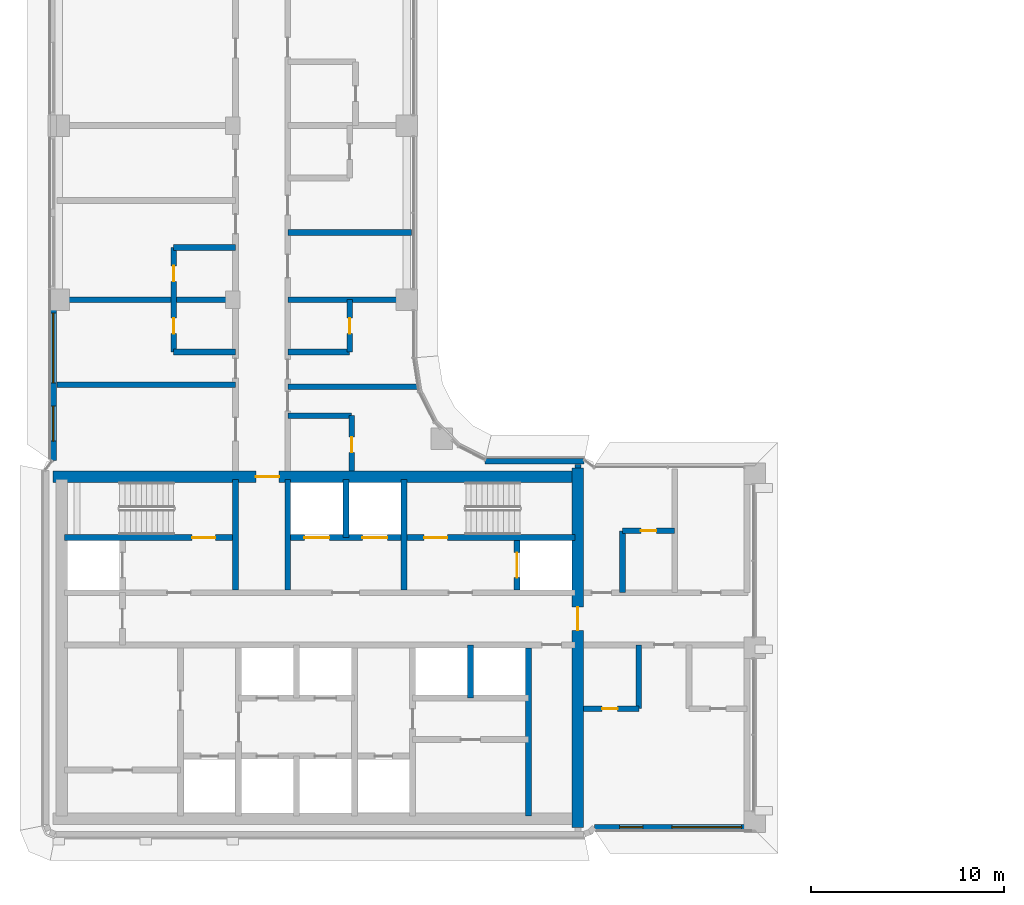
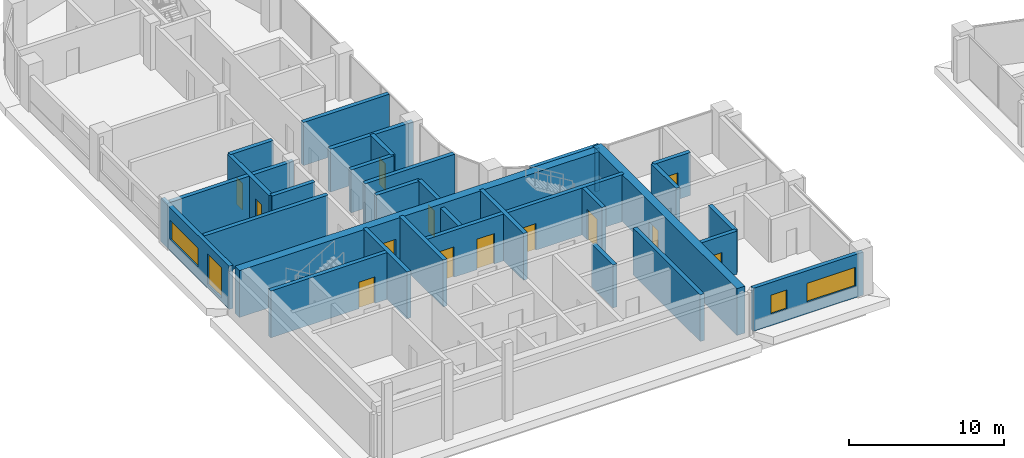
# One storey, part 11 of 24: 31 walls, 13 doors, 4 windows, 17 openings.
"""IFC4 building model written with IfcOpenShell, lengths in metres."""

from ifc_helpers import new_model, si_unit, direction, frame, frame_2d, origin, place, context, subcontext, project, spatial, rectangle, extrude, material, layer, layer_set, type_object, element, fill, save


model = new_model("IFC4")

# Units and contexts
model_context = context("Model", 3, precision=1e-05, world=origin(), true_north=direction((0.0, 1.0)))
body_context = subcontext(model_context, "Body", "Model", "MODEL_VIEW")
ifc_project = project(units=[si_unit("LENGTHUNIT", "METRE"), si_unit("AREAUNIT", "SQUARE_METRE"), si_unit("VOLUMEUNIT", "CUBIC_METRE"), si_unit("PLANEANGLEUNIT", "RADIAN"), si_unit("MASSUNIT", "GRAM", prefix="KILO")], contexts=[model_context])

# Site, building, storey
site_placement = place(None, origin())
site = spatial("IfcSite", under=ifc_project, at=site_placement, CompositionType="ELEMENT")
building_placement = place(site_placement, origin())
building = spatial("IfcBuilding", under=site, at=building_placement, Name="Ogive Portal Towers", CompositionType="ELEMENT")
storey_placement = place(building_placement, frame((0.0, 0.0, 153.300048828125)))
storey = spatial("IfcBuildingStorey", under=building, at=storey_placement, Name="L37", CompositionType="ELEMENT", Elevation=153.300048828125)

# Wall
ifc_material_1 = material(Name="Concrete C60/75", Category="concrete")
ifc_layer_1 = layer(ifc_material_1, 0.300048828125)
ifc_layer_set_1 = layer_set([ifc_layer_1], Name="CORE WALL 300 C60")
wall_type_1 = type_object("IfcWallType", Name="CORE WALL 300 C60", PredefinedType="SHEAR", material=ifc_layer_set_1)
wall_1_placement = place(storey_placement, frame((55.800048828125, 21.800048828125, 0.0), z_axis=(0.0, 0.0, 1.0), x_axis=(0.0, 1.0, 0.0)))
element("IfcWall", 1, at=wall_1_placement, inside=storey, type_object=wall_type_1, Name="Core wall X5 L37", PredefinedType="SHEAR", context=body_context, shape_type="SweptSolid", body=[
    extrude(rectangle(XDim=8.699951171875, YDim=0.300048828125, at=frame_2d((4.35009765625, 0.0))), origin(), (0.0, 0.0, 1.0), 3.699951171875),
])

# Wall, opening, door
wall_2_placement = place(storey_placement, frame((31.800048828125, 36.199951171875, 0.0), z_axis=(0.0, 0.0, 1.0), x_axis=(1.0, 0.0, 0.0)))
wall_2 = element("IfcWall", 2, at=wall_2_placement, inside=storey, type_object=wall_type_1, Name="Core wall Y3a L37", PredefinedType="SHEAR", context=body_context, shape_type="SweptSolid", body=[
    extrude(rectangle(XDim=8.699951171875, YDim=0.300048828125, at=frame_2d((4.35009765625, 0.0))), origin(), (0.0, 0.0, 1.0), 3.699951171875),
])
opening_1_placement = place(wall_2_placement, frame((6.60009765625, 0.0, 0.0)))
opening_1 = element("IfcOpeningElement", 3, at=opening_1_placement, cuts=wall_2, Name="Opening D15-005", PredefinedType="OPENING", context=body_context, shape_type="SweptSolid", body=[
    extrude(rectangle(XDim=1.199951171875, YDim=2.10009765625, at=frame_2d((0.60009765625, 1.050048828125))), frame((0.0, 0.16015625, 0.0), z_axis=(0.0, -1.0, 0.0), x_axis=(1.0, 0.0, 0.0)), (0.0, 0.0, 1.0), 0.320068359375),
])
ifc_material_2 = material(Name="Steel fire door", Category="steel")
door_type_1 = type_object("IfcDoorType", Name="DT-SWING-1200x2100-FD90S", OperationType="SINGLE_SWING_LEFT", PredefinedType="DOOR", material=ifc_material_2)
door_1_placement = place(opening_1_placement, origin())
door_1 = element("IfcDoor", 4, at=door_1_placement, inside=storey, type_object=door_type_1, Name="Door D15-005", OperationType="SINGLE_SWING_RIGHT", OverallHeight=2.10009765625, OverallWidth=1.199951171875, PredefinedType="DOOR", context=body_context, shape_type="SweptSolid", body=[
    extrude(rectangle(XDim=1.199951171875, YDim=2.10009765625, at=frame_2d((0.60009765625, 1.050048828125))), frame((0.0, 0.02490234375, 0.0), z_axis=(0.0, -1.0, 0.0), x_axis=(1.0, 0.0, 0.0)), (0.0, 0.0, 1.0), 0.050048828125),
])
fill(opening_1, door_1)

# Wall, openings, doors
wall_3_placement = place(storey_placement, frame((43.5, 36.199951171875, 0.0), z_axis=(0.0, 0.0, 1.0), x_axis=(1.0, 0.0, 0.0)))
wall_3 = element("IfcWall", 5, at=wall_3_placement, inside=storey, type_object=wall_type_1, Name="Core wall Y3b L37", PredefinedType="SHEAR", context=body_context, shape_type="SweptSolid", body=[
    extrude(rectangle(XDim=14.699951171875, YDim=0.300048828125, at=frame_2d((7.35009765625, 0.0))), origin(), (0.0, 0.0, 1.0), 3.699951171875),
])
opening_2_placement = place(wall_3_placement, frame((6.89990234375, 0.0, 0.0)))
opening_2 = element("IfcOpeningElement", 6, at=opening_2_placement, cuts=wall_3, Name="Opening D15-006", PredefinedType="OPENING", context=body_context, shape_type="SweptSolid", body=[
    extrude(rectangle(XDim=1.199951171875, YDim=2.10009765625, at=frame_2d((0.60009765625, 1.050048828125))), frame((0.0, 0.16015625, 0.0), z_axis=(0.0, -1.0, 0.0), x_axis=(1.0, 0.0, 0.0)), (0.0, 0.0, 1.0), 0.320068359375),
])
opening_3_placement = place(wall_3_placement, frame((0.699951171875, 0.0, 0.0)))
opening_3 = element("IfcOpeningElement", 7, at=opening_3_placement, cuts=wall_3, Name="Opening D15-016", PredefinedType="OPENING", context=body_context, shape_type="SweptSolid", body=[
    extrude(rectangle(XDim=1.300048828125, YDim=2.39990234375, at=frame_2d((0.64990234375, 1.199951171875))), frame((0.0, 0.16015625, 0.0), z_axis=(0.0, -1.0, 0.0), x_axis=(1.0, 0.0, 0.0)), (0.0, 0.0, 1.0), 0.320068359375),
])
opening_4_placement = place(wall_3_placement, frame((3.699951171875, 0.0, 0.0)))
opening_4 = element("IfcOpeningElement", 8, at=opening_4_placement, cuts=wall_3, Name="Opening D15-017", PredefinedType="OPENING", context=body_context, shape_type="SweptSolid", body=[
    extrude(rectangle(XDim=1.300048828125, YDim=2.39990234375, at=frame_2d((0.64990234375, 1.199951171875))), frame((0.0, 0.16015625, 0.0), z_axis=(0.0, -1.0, 0.0), x_axis=(1.0, 0.0, 0.0)), (0.0, 0.0, 1.0), 0.320068359375),
])
ifc_material_3 = material(Name="Stainless steel", Category="steel")
door_type_2 = type_object("IfcDoorType", Name="DT-LD-1300x2400", OperationType="SLIDING_TO_LEFT", PredefinedType="DOOR", material=ifc_material_3)
door_2_placement = place(opening_3_placement, origin())
door_2 = element("IfcDoor", 9, at=door_2_placement, inside=storey, type_object=door_type_2, Name="Door D15-016", OperationType="SLIDING_TO_LEFT", OverallHeight=2.39990234375, OverallWidth=1.300048828125, PredefinedType="DOOR", context=body_context, shape_type="SweptSolid", body=[
    extrude(rectangle(XDim=1.300048828125, YDim=2.39990234375, at=frame_2d((0.64990234375, 1.199951171875))), frame((0.0, 0.02490234375, 0.0), z_axis=(0.0, -1.0, 0.0), x_axis=(1.0, 0.0, 0.0)), (0.0, 0.0, 1.0), 0.050048828125),
])
fill(opening_3, door_2)
door_3_placement = place(opening_4_placement, origin())
door_3 = element("IfcDoor", 10, at=door_3_placement, inside=storey, type_object=door_type_2, Name="Door D15-017", OperationType="SLIDING_TO_LEFT", OverallHeight=2.39990234375, OverallWidth=1.300048828125, PredefinedType="DOOR", context=body_context, shape_type="SweptSolid", body=[
    extrude(rectangle(XDim=1.300048828125, YDim=2.39990234375, at=frame_2d((0.64990234375, 1.199951171875))), frame((0.0, 0.02490234375, 0.0), z_axis=(0.0, -1.0, 0.0), x_axis=(1.0, 0.0, 0.0)), (0.0, 0.0, 1.0), 0.050048828125),
])
fill(opening_4, door_3)
door_4_placement = place(opening_2_placement, origin())
door_4 = element("IfcDoor", 11, at=door_4_placement, inside=storey, type_object=door_type_1, Name="Door D15-006", OperationType="SINGLE_SWING_LEFT", OverallHeight=2.10009765625, OverallWidth=1.199951171875, PredefinedType="DOOR", context=body_context, shape_type="SweptSolid", body=[
    extrude(rectangle(XDim=1.199951171875, YDim=2.10009765625, at=frame_2d((0.60009765625, 1.050048828125))), frame((0.0, 0.02490234375, 0.0), z_axis=(0.0, -1.0, 0.0), x_axis=(1.0, 0.0, 0.0)), (0.0, 0.0, 1.0), 0.050048828125),
])
fill(opening_2, door_4)

# Walls
for number, where, z_axis, x_axis, name in (
    (12, (40.64990234375, 33.5, 0.0), (0.0, 0.0, 1.0), (0.0, 1.0, 0.0), "Core wall X6 L37"),
    (13, (43.35009765625, 33.5, 0.0), (0.0, 0.0, 1.0), (0.0, 1.0, 0.0), "Core wall X7 L37"),
    (14, (49.35009765625, 33.5, 0.0), (0.0, 0.0, 1.0), (0.0, 1.0, 0.0), "Core wall X9 L37"),
):
    element("IfcWall", number, at=place(storey_placement, frame(where, z_axis=z_axis, x_axis=x_axis)), inside=storey, type_object=wall_type_1, Name=name, PredefinedType="SHEAR", context=body_context, shape_type="SweptSolid", body=[
        extrude(rectangle(XDim=5.699951171875, YDim=0.300048828125, at=frame_2d((2.85009765625, 0.0))), origin(), (0.0, 0.0, 1.0), 3.699951171875),
    ])

# Wall, opening, door
wall_4_placement = place(storey_placement, frame((55.199951171875, 33.5, 0.0), z_axis=(0.0, 0.0, 1.0), x_axis=(0.0, 1.0, 0.0)))
wall_4 = element("IfcWall", 15, at=wall_4_placement, inside=storey, type_object=wall_type_1, Name="Core wall X10 L37", PredefinedType="SHEAR", context=body_context, shape_type="SweptSolid", body=[
    extrude(rectangle(XDim=2.550048828125, YDim=0.300048828125, at=frame_2d((1.27490234375, 0.0))), origin(), (0.0, 0.0, 1.0), 3.699951171875),
])
opening_5_placement = place(wall_4_placement, frame((0.625, 0.0, 0.0)))
opening_5 = element("IfcOpeningElement", 16, at=opening_5_placement, cuts=wall_4, Name="Opening D15-019", PredefinedType="OPENING", context=body_context, shape_type="SweptSolid", body=[
    extrude(rectangle(XDim=1.300048828125, YDim=2.39990234375, at=frame_2d((0.64990234375, 1.199951171875))), frame((0.0, 0.16015625, 0.0), z_axis=(0.0, -1.0, 0.0), x_axis=(1.0, 0.0, 0.0)), (0.0, 0.0, 1.0), 0.320068359375),
])
door_5_placement = place(opening_5_placement, origin())
door_5 = element("IfcDoor", 17, at=door_5_placement, inside=storey, type_object=door_type_2, Name="Door D15-019", OperationType="SLIDING_TO_LEFT", OverallHeight=2.39990234375, OverallWidth=1.300048828125, PredefinedType="DOOR", context=body_context, shape_type="SweptSolid", body=[
    extrude(rectangle(XDim=1.300048828125, YDim=2.39990234375, at=frame_2d((0.64990234375, 1.199951171875))), frame((0.0, 0.02490234375, 0.0), z_axis=(0.0, -1.0, 0.0), x_axis=(1.0, 0.0, 0.0)), (0.0, 0.0, 1.0), 0.050048828125),
])
fill(opening_5, door_5)

ifc_layer_2 = layer(ifc_material_1, 0.60009765625)
ifc_layer_set_2 = layer_set([ifc_layer_2], Name="CORE WALL 600 C60")
wall_type_2 = type_object("IfcWallType", Name="CORE WALL 600 C60", PredefinedType="SHEAR", material=ifc_layer_set_2)
wall_5_placement = place(storey_placement, frame((58.35009765625, 21.199951171875, 0.0), z_axis=(0.0, 0.0, 1.0), x_axis=(0.0, 1.0, 0.0)))
wall_5 = element("IfcWall", 18, at=wall_5_placement, inside=storey, type_object=wall_type_2, Name="Core wall E L37", PredefinedType="SHEAR", context=body_context, shape_type="SweptSolid", body=[
    extrude(rectangle(XDim=18.60009765625, YDim=0.60009765625, at=frame_2d((9.300048828125, 0.0))), origin(), (0.0, 0.0, 1.0), 3.699951171875),
])
opening_6_placement = place(wall_5_placement, frame((10.199951171875, 0.0, 0.0)))
opening_6 = element("IfcOpeningElement", 19, at=opening_6_placement, cuts=wall_5, Name="Opening D15-010", PredefinedType="OPENING", context=body_context, shape_type="SweptSolid", body=[
    extrude(rectangle(XDim=1.199951171875, YDim=2.10009765625, at=frame_2d((0.60009765625, 1.050048828125))), frame((0.0, 0.31005859375, 0.0), z_axis=(0.0, -1.0, 0.0), x_axis=(1.0, 0.0, 0.0)), (0.0, 0.0, 1.0), 0.6201171875),
])
door_6_placement = place(opening_6_placement, origin())
door_6 = element("IfcDoor", 20, at=door_6_placement, inside=storey, type_object=door_type_1, Name="Door D15-010", OperationType="SINGLE_SWING_LEFT", OverallHeight=2.10009765625, OverallWidth=1.199951171875, PredefinedType="DOOR", context=body_context, shape_type="SweptSolid", body=[
    extrude(rectangle(XDim=1.199951171875, YDim=2.10009765625, at=frame_2d((0.60009765625, 1.050048828125))), frame((0.0, 0.02490234375, 0.0), z_axis=(0.0, -1.0, 0.0), x_axis=(1.0, 0.0, 0.0)), (0.0, 0.0, 1.0), 0.050048828125),
])
fill(opening_6, door_6)

wall_6_placement = place(storey_placement, frame((31.199951171875, 39.35009765625, 0.0), z_axis=(0.0, 0.0, 1.0), x_axis=(1.0, 0.0, 0.0)))
wall_6 = element("IfcWall", 21, at=wall_6_placement, inside=storey, type_object=wall_type_2, Name="Core wall N L37", PredefinedType="SHEAR", context=body_context, shape_type="SweptSolid", body=[
    extrude(rectangle(XDim=27.0, YDim=0.60009765625, at=frame_2d((13.5, 0.0))), origin(), (0.0, 0.0, 1.0), 3.699951171875),
])
opening_7_placement = place(wall_6_placement, frame((10.5, 0.0, 0.0)))
opening_7 = element("IfcOpeningElement", 22, at=opening_7_placement, cuts=wall_6, Name="Opening D15-011", PredefinedType="OPENING", context=body_context, shape_type="SweptSolid", body=[
    extrude(rectangle(XDim=1.199951171875, YDim=2.10009765625, at=frame_2d((0.60009765625, 1.050048828125))), frame((0.0, 0.31005859375, 0.0), z_axis=(0.0, -1.0, 0.0), x_axis=(1.0, 0.0, 0.0)), (0.0, 0.0, 1.0), 0.6201171875),
])
door_7_placement = place(opening_7_placement, origin())
door_7 = element("IfcDoor", 23, at=door_7_placement, inside=storey, type_object=door_type_1, Name="Door D15-011", OperationType="SINGLE_SWING_RIGHT", OverallHeight=2.10009765625, OverallWidth=1.199951171875, PredefinedType="DOOR", context=body_context, shape_type="SweptSolid", body=[
    extrude(rectangle(XDim=1.199951171875, YDim=2.10009765625, at=frame_2d((0.60009765625, 1.050048828125))), frame((0.0, 0.02490234375, 0.0), z_axis=(0.0, -1.0, 0.0), x_axis=(1.0, 0.0, 0.0)), (0.0, 0.0, 1.0), 0.050048828125),
])
fill(opening_7, door_7)

# Wall
ifc_material_4 = material(Name="Limestone cladding on lightweight block wall", Category="masonry")
ifc_layer_3 = layer(ifc_material_4, 0.300048828125)
ifc_layer_set_3 = layer_set([ifc_layer_3], Name="EXTERNAL WALL 300 STONE")
wall_type_3 = type_object("IfcWallType", Name="EXTERNAL WALL 300 STONE", PredefinedType="SOLIDWALL", material=ifc_layer_set_3)
wall_7_placement = place(storey_placement, frame((58.673583984375, 40.14990234375, 0.0), z_axis=(0.0, 0.0, 1.0), x_axis=(-1.0, 0.0, 0.0)))
element("IfcWall", 24, at=wall_7_placement, inside=storey, type_object=wall_type_3, Name="A:L37:f01:r0:wall", PredefinedType="SOLIDWALL", context=body_context, shape_type="SweptSolid", body=[
    extrude(rectangle(XDim=5.115966796875, YDim=0.300048828125, at=frame_2d((2.55810546875, 0.0))), origin(), (0.0, 0.0, 1.0), 3.39990234375),
])

# Wall, openings, windows
wall_8_placement = place(storey_placement, frame((31.22509765625, 49.050048828125, 0.0), z_axis=(0.0, 0.0, 1.0), x_axis=(0.0, -1.0, 0.0)))
wall_8 = element("IfcWall", 25, at=wall_8_placement, inside=storey, type_object=wall_type_3, Name="A:L37:f13:r0:wall4", PredefinedType="SOLIDWALL", context=body_context, shape_type="SweptSolid", body=[
    extrude(rectangle(XDim=8.86962890625, YDim=0.300048828125, at=frame_2d((4.434814453125, 0.0))), origin(), (0.0, 0.0, 1.0), 3.39990234375),
])
opening_8_placement = place(wall_8_placement, frame((1.25, 0.0, 0.89990234375)))
opening_8 = element("IfcOpeningElement", 26, at=opening_8_placement, cuts=wall_8, Name="Opening WN12", PredefinedType="OPENING", context=body_context, shape_type="SweptSolid", body=[
    extrude(rectangle(XDim=3.60009765625, YDim=1.5, at=frame_2d((1.800048828125, 0.75))), frame((0.0, 0.16015625, 0.0), z_axis=(0.0, -1.0, 0.0), x_axis=(1.0, 0.0, 0.0)), (0.0, 0.0, 1.0), 0.320068359375),
])
opening_9_placement = place(wall_8_placement, frame((6.059814453125, 0.0, 0.300048828125)))
opening_9 = element("IfcOpeningElement", 27, at=opening_9_placement, cuts=wall_8, Name="Opening WN10", PredefinedType="OPENING", context=body_context, shape_type="SweptSolid", body=[
    extrude(rectangle(XDim=1.800048828125, YDim=2.39990234375, at=frame_2d((0.89990234375, 1.199951171875))), frame((0.0, 0.16015625, 0.0), z_axis=(0.0, -1.0, 0.0), x_axis=(1.0, 0.0, 0.0)), (0.0, 0.0, 1.0), 0.320068359375),
])
ifc_material_5 = material(Name="Glass, clear low-iron insulated glazing", Category="glass")
window_type_1 = type_object("IfcWindowType", Name="WINDOW RIBBON 3600x1500", PartitioningType="TRIPLE_PANEL_VERTICAL", PredefinedType="WINDOW", material=ifc_material_5)
window_1_placement = place(opening_8_placement, origin())
window_1 = element("IfcWindow", 28, at=window_1_placement, inside=storey, type_object=window_type_1, Name="A:L37:f13:r0:w4", OverallHeight=1.5, OverallWidth=3.60009765625, PartitioningType="SINGLE_PANEL", PredefinedType="WINDOW", context=body_context, shape_type="SweptSolid", body=[
    extrude(rectangle(XDim=3.60009765625, YDim=1.5, at=frame_2d((1.800048828125, 0.75))), frame((0.0, 0.030029296875, 0.0), z_axis=(0.0, -1.0, 0.0), x_axis=(1.0, 0.0, 0.0)), (0.0, 0.0, 1.0), 0.06005859375),
])
fill(opening_8, window_1)
window_type_2 = type_object("IfcWindowType", Name="WINDOW SUITE CORNER 1800x2400", PartitioningType="DOUBLE_PANEL_VERTICAL", PredefinedType="WINDOW", material=ifc_material_5)
window_2_placement = place(opening_9_placement, origin())
window_2 = element("IfcWindow", 29, at=window_2_placement, inside=storey, type_object=window_type_2, Name="A:L37:f13:r0:w5", OverallHeight=2.39990234375, OverallWidth=1.800048828125, PartitioningType="SINGLE_PANEL", PredefinedType="WINDOW", context=body_context, shape_type="SweptSolid", body=[
    extrude(rectangle(XDim=1.800048828125, YDim=2.39990234375, at=frame_2d((0.89990234375, 1.199951171875))), frame((0.0, 0.030029296875, 0.0), z_axis=(0.0, -1.0, 0.0), x_axis=(1.0, 0.0, 0.0)), (0.0, 0.0, 1.0), 0.06005859375),
])
fill(opening_9, window_2)

wall_9_placement = place(storey_placement, frame((59.206787109375, 21.22509765625, 0.0), z_axis=(0.0, 0.0, 1.0), x_axis=(1.0, 0.0, 0.0)))
wall_9 = element("IfcWall", 30, at=wall_9_placement, inside=storey, type_object=wall_type_3, Name="A:L37:f21:r0:wall", PredefinedType="SOLIDWALL", context=body_context, shape_type="SweptSolid", body=[
    extrude(rectangle(XDim=8.213134765625, YDim=0.300048828125, at=frame_2d((4.1064453125, 0.0))), origin(), (0.0, 0.0, 1.0), 3.39990234375),
])
opening_10_placement = place(wall_9_placement, frame((1.296630859375, 0.0, 0.89990234375)))
opening_10 = element("IfcOpeningElement", 31, at=opening_10_placement, cuts=wall_9, Name="Opening WN9", PredefinedType="OPENING", context=body_context, shape_type="SweptSolid", body=[
    extrude(rectangle(XDim=1.199951171875, YDim=1.5, at=frame_2d((0.60009765625, 0.75))), frame((0.0, 0.16015625, 0.0), z_axis=(0.0, -1.0, 0.0), x_axis=(1.0, 0.0, 0.0)), (0.0, 0.0, 1.0), 0.320068359375),
])
opening_11_placement = place(wall_9_placement, frame((4.003173828125, 0.0, 0.89990234375)))
opening_11 = element("IfcOpeningElement", 32, at=opening_11_placement, cuts=wall_9, Name="Opening WN12", PredefinedType="OPENING", context=body_context, shape_type="SweptSolid", body=[
    extrude(rectangle(XDim=3.60009765625, YDim=1.5, at=frame_2d((1.800048828125, 0.75))), frame((0.0, 0.16015625, 0.0), z_axis=(0.0, -1.0, 0.0), x_axis=(1.0, 0.0, 0.0)), (0.0, 0.0, 1.0), 0.320068359375),
])
window_type_3 = type_object("IfcWindowType", Name="WINDOW HOTEL CASEMENT 1200x1500", PartitioningType="DOUBLE_PANEL_VERTICAL", PredefinedType="WINDOW", material=ifc_material_5)
window_3_placement = place(opening_10_placement, origin())
window_3 = element("IfcWindow", 33, at=window_3_placement, inside=storey, type_object=window_type_3, Name="A:L37:f21:r0:w0", OverallHeight=1.5, OverallWidth=1.199951171875, PartitioningType="SINGLE_PANEL", PredefinedType="WINDOW", context=body_context, shape_type="SweptSolid", body=[
    extrude(rectangle(XDim=1.199951171875, YDim=1.5, at=frame_2d((0.60009765625, 0.75))), frame((0.0, 0.030029296875, 0.0), z_axis=(0.0, -1.0, 0.0), x_axis=(1.0, 0.0, 0.0)), (0.0, 0.0, 1.0), 0.06005859375),
])
fill(opening_10, window_3)
window_4_placement = place(opening_11_placement, origin())
window_4 = element("IfcWindow", 34, at=window_4_placement, inside=storey, type_object=window_type_1, Name="A:L37:f21:r0:w1", OverallHeight=1.5, OverallWidth=3.60009765625, PartitioningType="SINGLE_PANEL", PredefinedType="WINDOW", context=body_context, shape_type="SweptSolid", body=[
    extrude(rectangle(XDim=3.60009765625, YDim=1.5, at=frame_2d((1.800048828125, 0.75))), frame((0.0, 0.030029296875, 0.0), z_axis=(0.0, -1.0, 0.0), x_axis=(1.0, 0.0, 0.0)), (0.0, 0.0, 1.0), 0.06005859375),
])
fill(opening_11, window_4)

# Wall
ifc_material_6 = material(Name="Gypsum board partition on steel studs", Category="steel")
ifc_layer_4 = layer(ifc_material_6, 0.300048828125)
ifc_layer_set_4 = layer_set([ifc_layer_4], Name="WT-PART-300-EI 120")
wall_type_4 = type_object("IfcWallType", Name="WT-PART-300-EI 120", PredefinedType="PARTITIONING", material=ifc_layer_set_4)
wall_10_placement = place(storey_placement, frame((58.35009765625, 39.800048828125, 0.0), z_axis=(0.0, 0.0, 1.0), x_axis=(0.0, 1.0, 0.0)))
element("IfcWall", 35, at=wall_10_placement, inside=storey, type_object=wall_type_4, Name="Wall L37:wc02", PredefinedType="PARTITIONING", context=body_context, shape_type="SweptSolid", body=[
    extrude(rectangle(XDim=0.18994140625, YDim=0.300048828125, at=frame_2d((0.094970703125, 0.0))), origin(), (0.0, 0.0, 1.0), 3.39990234375),
])

# Wall, opening, door
ifc_layer_5 = layer(ifc_material_6, 0.300048828125)
ifc_layer_set_5 = layer_set([ifc_layer_5], Name="WT-PART-300-EI 60")
wall_type_5 = type_object("IfcWallType", Name="WT-PART-300-EI 60", PredefinedType="PARTITIONING", material=ifc_layer_set_5)
wall_11_placement = place(storey_placement, frame((58.64990234375, 27.35009765625, 0.0), z_axis=(0.0, 0.0, 1.0), x_axis=(1.0, 0.0, 0.0)))
wall_11 = element("IfcWall", 36, at=wall_11_placement, inside=storey, type_object=wall_type_5, Name="Wall L37:w002", PredefinedType="PARTITIONING", context=body_context, shape_type="SweptSolid", body=[
    extrude(rectangle(XDim=2.85009765625, YDim=0.300048828125, at=frame_2d((1.425048828125, 0.0))), origin(), (0.0, 0.0, 1.0), 3.39990234375),
])
opening_12_placement = place(wall_11_placement, frame((0.949951171875, 0.0, 0.0)))
opening_12 = element("IfcOpeningElement", 37, at=opening_12_placement, cuts=wall_11, Name="Opening D15-028", PredefinedType="OPENING", context=body_context, shape_type="SweptSolid", body=[
    extrude(rectangle(XDim=0.800048828125, YDim=2.10009765625, at=frame_2d((0.39990234375, 1.050048828125))), frame((0.0, 0.16015625, 0.0), z_axis=(0.0, -1.0, 0.0), x_axis=(1.0, 0.0, 0.0)), (0.0, 0.0, 1.0), 0.320068359375),
])
door_type_3 = type_object("IfcDoorType", Name="DT-BATH-800x2100-FD60S", OperationType="SINGLE_SWING_LEFT", PredefinedType="DOOR", material=ifc_material_2)
door_8_placement = place(opening_12_placement, origin())
door_8 = element("IfcDoor", 38, at=door_8_placement, inside=storey, type_object=door_type_3, Name="Door D15-028", OperationType="SINGLE_SWING_LEFT", OverallHeight=2.10009765625, OverallWidth=0.800048828125, PredefinedType="DOOR", context=body_context, shape_type="SweptSolid", body=[
    extrude(rectangle(XDim=0.800048828125, YDim=2.10009765625, at=frame_2d((0.39990234375, 1.050048828125))), frame((0.0, 0.02490234375, 0.0), z_axis=(0.0, -1.0, 0.0), x_axis=(1.0, 0.0, 0.0)), (0.0, 0.0, 1.0), 0.050048828125),
])
fill(opening_12, door_8)

wall_12_placement = place(storey_placement, frame((60.656005859375, 36.550048828125, 0.0), z_axis=(0.0, 0.0, 1.0), x_axis=(1.0, 0.0, 0.0)))
wall_12 = element("IfcWall", 39, at=wall_12_placement, inside=storey, type_object=wall_type_5, Name="Wall L37:w008", PredefinedType="PARTITIONING", context=body_context, shape_type="SweptSolid", body=[
    extrude(rectangle(XDim=2.699951171875, YDim=0.300048828125, at=frame_2d((1.35009765625, 0.0))), origin(), (0.0, 0.0, 1.0), 3.39990234375),
])
opening_13_placement = place(wall_12_placement, frame((0.949951171875, 0.0, 0.0)))
opening_13 = element("IfcOpeningElement", 40, at=opening_13_placement, cuts=wall_12, Name="Opening D15-025", PredefinedType="OPENING", context=body_context, shape_type="SweptSolid", body=[
    extrude(rectangle(XDim=0.800048828125, YDim=2.10009765625, at=frame_2d((0.39990234375, 1.050048828125))), frame((0.0, 0.16015625, 0.0), z_axis=(0.0, -1.0, 0.0), x_axis=(1.0, 0.0, 0.0)), (0.0, 0.0, 1.0), 0.320068359375),
])
door_9_placement = place(opening_13_placement, origin())
door_9 = element("IfcDoor", 41, at=door_9_placement, inside=storey, type_object=door_type_3, Name="Door D15-025", OperationType="SINGLE_SWING_LEFT", OverallHeight=2.10009765625, OverallWidth=0.800048828125, PredefinedType="DOOR", context=body_context, shape_type="SweptSolid", body=[
    extrude(rectangle(XDim=0.800048828125, YDim=2.10009765625, at=frame_2d((0.39990234375, 1.050048828125))), frame((0.0, 0.02490234375, 0.0), z_axis=(0.0, -1.0, 0.0), x_axis=(1.0, 0.0, 0.0)), (0.0, 0.0, 1.0), 0.050048828125),
])
fill(opening_13, door_9)

# Walls
wall_13_placement = place(storey_placement, frame((43.35009765625, 42.5, 0.0), z_axis=(0.0, 0.0, 1.0), x_axis=(1.0, 0.0, 0.0)))
element("IfcWall", 42, at=wall_13_placement, inside=storey, type_object=wall_type_5, Name="Wall L37:w009", PredefinedType="PARTITIONING", context=body_context, shape_type="SweptSolid", body=[
    extrude(rectangle(XDim=3.2998046875, YDim=0.300048828125, at=frame_2d((1.64990234375, 0.0))), origin(), (0.0, 0.0, 1.0), 3.39990234375),
])
wall_14_placement = place(storey_placement, frame((43.35009765625, 44.0, 0.0), z_axis=(0.0, 0.0, 1.0), x_axis=(1.0, 0.0, 0.0)))
element("IfcWall", 43, at=wall_14_placement, inside=storey, type_object=wall_type_5, Name="Wall L37:w010", PredefinedType="PARTITIONING", context=body_context, shape_type="SweptSolid", body=[
    extrude(rectangle(XDim=6.700927734375, YDim=0.300048828125, at=frame_2d((3.3505859375, 0.0))), origin(), (0.0, 0.0, 1.0), 3.39990234375),
])
wall_15_placement = place(storey_placement, frame((31.425048828125, 44.10009765625, 0.0), z_axis=(0.0, 0.0, 1.0), x_axis=(1.0, 0.0, 0.0)))
element("IfcWall", 44, at=wall_15_placement, inside=storey, type_object=wall_type_5, Name="Wall L37:w011", PredefinedType="PARTITIONING", context=body_context, shape_type="SweptSolid", body=[
    extrude(rectangle(XDim=9.224853515625, YDim=0.300048828125, at=frame_2d((4.6123046875, 0.0))), origin(), (0.0, 0.0, 1.0), 3.39990234375),
])
for number, where, z_axis, x_axis, name in (
    (45, (37.449951171875, 45.800048828125, 0.0), (0.0, 0.0, 1.0), (1.0, 0.0, 0.0), "Wall L37:w012"),
    (46, (43.35009765625, 45.800048828125, 0.0), (0.0, 0.0, 1.0), (1.0, 0.0, 0.0), "Wall L37:w013"),
):
    element("IfcWall", number, at=place(storey_placement, frame(where, z_axis=z_axis, x_axis=x_axis)), inside=storey, type_object=wall_type_5, Name=name, PredefinedType="PARTITIONING", context=body_context, shape_type="SweptSolid", body=[
        extrude(rectangle(XDim=3.199951171875, YDim=0.300048828125, at=frame_2d((1.60009765625, 0.0))), origin(), (0.0, 0.0, 1.0), 3.39990234375),
    ])
wall_16_placement = place(storey_placement, frame((31.425048828125, 48.5, 0.0), z_axis=(0.0, 0.0, 1.0), x_axis=(1.0, 0.0, 0.0)))
element("IfcWall", 47, at=wall_16_placement, inside=storey, type_object=wall_type_5, Name="Wall L37:w014", PredefinedType="PARTITIONING", context=body_context, shape_type="SweptSolid", body=[
    extrude(rectangle(XDim=9.224853515625, YDim=0.300048828125, at=frame_2d((4.6123046875, 0.0))), origin(), (0.0, 0.0, 1.0), 3.39990234375),
])
wall_17_placement = place(storey_placement, frame((43.35009765625, 48.5, 0.0), z_axis=(0.0, 0.0, 1.0), x_axis=(1.0, 0.0, 0.0)))
element("IfcWall", 48, at=wall_17_placement, inside=storey, type_object=wall_type_5, Name="Wall L37:w015", PredefinedType="PARTITIONING", context=body_context, shape_type="SweptSolid", body=[
    extrude(rectangle(XDim=6.224853515625, YDim=0.300048828125, at=frame_2d((3.1123046875, 0.0))), origin(), (0.0, 0.0, 1.0), 3.39990234375),
])
wall_18_placement = place(storey_placement, frame((37.449951171875, 51.199951171875, 0.0), z_axis=(0.0, 0.0, 1.0), x_axis=(1.0, 0.0, 0.0)))
element("IfcWall", 49, at=wall_18_placement, inside=storey, type_object=wall_type_5, Name="Wall L37:w016", PredefinedType="PARTITIONING", context=body_context, shape_type="SweptSolid", body=[
    extrude(rectangle(XDim=3.199951171875, YDim=0.300048828125, at=frame_2d((1.60009765625, 0.0))), origin(), (0.0, 0.0, 1.0), 3.39990234375),
])
wall_19_placement = place(storey_placement, frame((43.35009765625, 51.969970703125, 0.0), z_axis=(0.0, 0.0, 1.0), x_axis=(1.0, 0.0, 0.0)))
element("IfcWall", 50, at=wall_19_placement, inside=storey, type_object=wall_type_5, Name="Wall L37:w017", PredefinedType="PARTITIONING", context=body_context, shape_type="SweptSolid", body=[
    extrude(rectangle(XDim=6.40478515625, YDim=0.300048828125, at=frame_2d((3.202392578125, 0.0))), origin(), (0.0, 0.0, 1.0), 3.39990234375),
])

# Wall, openings, doors
wall_20_placement = place(storey_placement, frame((37.449951171875, 45.800048828125, 0.0), z_axis=(0.0, 0.0, 1.0), x_axis=(0.0, 1.0, 0.0)))
wall_20 = element("IfcWall", 51, at=wall_20_placement, inside=storey, type_object=wall_type_5, Name="Wall L37:w028", PredefinedType="PARTITIONING", context=body_context, shape_type="SweptSolid", body=[
    extrude(rectangle(XDim=5.39990234375, YDim=0.300048828125, at=frame_2d((2.699951171875, 0.0))), origin(), (0.0, 0.0, 1.0), 3.39990234375),
])
opening_14_placement = place(wall_20_placement, frame((0.949951171875, 0.0, 0.0)))
opening_14 = element("IfcOpeningElement", 52, at=opening_14_placement, cuts=wall_20, Name="Opening D15-036", PredefinedType="OPENING", context=body_context, shape_type="SweptSolid", body=[
    extrude(rectangle(XDim=0.800048828125, YDim=2.10009765625, at=frame_2d((0.39990234375, 1.050048828125))), frame((0.0, 0.16015625, 0.0), z_axis=(0.0, -1.0, 0.0), x_axis=(1.0, 0.0, 0.0)), (0.0, 0.0, 1.0), 0.320068359375),
])
opening_15_placement = place(wall_20_placement, frame((3.64990234375, 0.0, 0.0)))
opening_15 = element("IfcOpeningElement", 53, at=opening_15_placement, cuts=wall_20, Name="Opening D15-041", PredefinedType="OPENING", context=body_context, shape_type="SweptSolid", body=[
    extrude(rectangle(XDim=0.800048828125, YDim=2.10009765625, at=frame_2d((0.39990234375, 1.050048828125))), frame((0.0, 0.16015625, 0.0), z_axis=(0.0, -1.0, 0.0), x_axis=(1.0, 0.0, 0.0)), (0.0, 0.0, 1.0), 0.320068359375),
])
door_10_placement = place(opening_14_placement, origin())
door_10 = element("IfcDoor", 54, at=door_10_placement, inside=storey, type_object=door_type_3, Name="Door D15-036", OperationType="SINGLE_SWING_RIGHT", OverallHeight=2.10009765625, OverallWidth=0.800048828125, PredefinedType="DOOR", context=body_context, shape_type="SweptSolid", body=[
    extrude(rectangle(XDim=0.800048828125, YDim=2.10009765625, at=frame_2d((0.39990234375, 1.050048828125))), frame((0.0, 0.02490234375, 0.0), z_axis=(0.0, -1.0, 0.0), x_axis=(1.0, 0.0, 0.0)), (0.0, 0.0, 1.0), 0.050048828125),
])
fill(opening_14, door_10)
door_11_placement = place(opening_15_placement, origin())
door_11 = element("IfcDoor", 55, at=door_11_placement, inside=storey, type_object=door_type_3, Name="Door D15-041", OperationType="SINGLE_SWING_LEFT", OverallHeight=2.10009765625, OverallWidth=0.800048828125, PredefinedType="DOOR", context=body_context, shape_type="SweptSolid", body=[
    extrude(rectangle(XDim=0.800048828125, YDim=2.10009765625, at=frame_2d((0.39990234375, 1.050048828125))), frame((0.0, 0.02490234375, 0.0), z_axis=(0.0, -1.0, 0.0), x_axis=(1.0, 0.0, 0.0)), (0.0, 0.0, 1.0), 0.050048828125),
])
fill(opening_15, door_11)

# Wall, opening, door
wall_21_placement = place(storey_placement, frame((46.550048828125, 45.800048828125, 0.0), z_axis=(0.0, 0.0, 1.0), x_axis=(0.0, 1.0, 0.0)))
wall_21 = element("IfcWall", 56, at=wall_21_placement, inside=storey, type_object=wall_type_5, Name="Wall L37:w034", PredefinedType="PARTITIONING", context=body_context, shape_type="SweptSolid", body=[
    extrude(rectangle(XDim=2.699951171875, YDim=0.300048828125, at=frame_2d((1.35009765625, 0.0))), origin(), (0.0, 0.0, 1.0), 3.39990234375),
])
opening_16_placement = place(wall_21_placement, frame((0.949951171875, 0.0, 0.0)))
opening_16 = element("IfcOpeningElement", 57, at=opening_16_placement, cuts=wall_21, Name="Opening D15-033", PredefinedType="OPENING", context=body_context, shape_type="SweptSolid", body=[
    extrude(rectangle(XDim=0.800048828125, YDim=2.10009765625, at=frame_2d((0.39990234375, 1.050048828125))), frame((0.0, 0.16015625, 0.0), z_axis=(0.0, -1.0, 0.0), x_axis=(1.0, 0.0, 0.0)), (0.0, 0.0, 1.0), 0.320068359375),
])
door_12_placement = place(opening_16_placement, origin())
door_12 = element("IfcDoor", 58, at=door_12_placement, inside=storey, type_object=door_type_3, Name="Door D15-033", OperationType="SINGLE_SWING_RIGHT", OverallHeight=2.10009765625, OverallWidth=0.800048828125, PredefinedType="DOOR", context=body_context, shape_type="SweptSolid", body=[
    extrude(rectangle(XDim=0.800048828125, YDim=2.10009765625, at=frame_2d((0.39990234375, 1.050048828125))), frame((0.0, 0.02490234375, 0.0), z_axis=(0.0, -1.0, 0.0), x_axis=(1.0, 0.0, 0.0)), (0.0, 0.0, 1.0), 0.050048828125),
])
fill(opening_16, door_12)

wall_22_placement = place(storey_placement, frame((46.64990234375, 39.64990234375, 0.0), z_axis=(0.0, 0.0, 1.0), x_axis=(0.0, 1.0, 0.0)))
wall_22 = element("IfcWall", 59, at=wall_22_placement, inside=storey, type_object=wall_type_5, Name="Wall L37:w036", PredefinedType="PARTITIONING", context=body_context, shape_type="SweptSolid", body=[
    extrude(rectangle(XDim=2.85009765625, YDim=0.300048828125, at=frame_2d((1.425048828125, 0.0))), origin(), (0.0, 0.0, 1.0), 3.39990234375),
])
opening_17_placement = place(wall_22_placement, frame((0.949951171875, 0.0, 0.0)))
opening_17 = element("IfcOpeningElement", 60, at=opening_17_placement, cuts=wall_22, Name="Opening D15-031", PredefinedType="OPENING", context=body_context, shape_type="SweptSolid", body=[
    extrude(rectangle(XDim=0.800048828125, YDim=2.10009765625, at=frame_2d((0.39990234375, 1.050048828125))), frame((0.0, 0.16015625, 0.0), z_axis=(0.0, -1.0, 0.0), x_axis=(1.0, 0.0, 0.0)), (0.0, 0.0, 1.0), 0.320068359375),
])
door_13_placement = place(opening_17_placement, origin())
door_13 = element("IfcDoor", 61, at=door_13_placement, inside=storey, type_object=door_type_3, Name="Door D15-031", OperationType="SINGLE_SWING_LEFT", OverallHeight=2.10009765625, OverallWidth=0.800048828125, PredefinedType="DOOR", context=body_context, shape_type="SweptSolid", body=[
    extrude(rectangle(XDim=0.800048828125, YDim=2.10009765625, at=frame_2d((0.39990234375, 1.050048828125))), frame((0.0, 0.02490234375, 0.0), z_axis=(0.0, -1.0, 0.0), x_axis=(1.0, 0.0, 0.0)), (0.0, 0.0, 1.0), 0.050048828125),
])
fill(opening_17, door_13)

# Walls
wall_23_placement = place(storey_placement, frame((60.656005859375, 33.35009765625, 0.0), z_axis=(0.0, 0.0, 1.0), x_axis=(0.0, 1.0, 0.0)))
element("IfcWall", 62, at=wall_23_placement, inside=storey, type_object=wall_type_5, Name="Wall L37:w038", PredefinedType="PARTITIONING", context=body_context, shape_type="SweptSolid", body=[
    extrude(rectangle(XDim=3.199951171875, YDim=0.300048828125, at=frame_2d((1.60009765625, 0.0))), origin(), (0.0, 0.0, 1.0), 3.39990234375),
])
wall_24_placement = place(storey_placement, frame((61.5, 27.35009765625, 0.0), z_axis=(0.0, 0.0, 1.0), x_axis=(0.0, 1.0, 0.0)))
element("IfcWall", 63, at=wall_24_placement, inside=storey, type_object=wall_type_5, Name="Wall L37:w039", PredefinedType="PARTITIONING", context=body_context, shape_type="SweptSolid", body=[
    extrude(rectangle(XDim=3.2998046875, YDim=0.300048828125, at=frame_2d((1.64990234375, 0.0))), origin(), (0.0, 0.0, 1.0), 3.39990234375),
])
ifc_material_7 = material(Name="Concrete C40/50", Category="concrete")
ifc_layer_6 = layer(ifc_material_7, 0.300048828125)
ifc_layer_set_6 = layer_set([ifc_layer_6], Name="WT-SHAFT-300")
wall_type_6 = type_object("IfcWallType", Name="WT-SHAFT-300", PredefinedType="SOLIDWALL", material=ifc_layer_set_6)
wall_25_placement = place(storey_placement, frame((46.35009765625, 36.199951171875, 0.0), z_axis=(0.0, 0.0, 1.0), x_axis=(0.0, 1.0, 0.0)))
element("IfcWall", 64, at=wall_25_placement, inside=storey, type_object=wall_type_6, Name="Wall pw:009:L37", PredefinedType="SOLIDWALL", context=body_context, shape_type="SweptSolid", body=[
    extrude(rectangle(XDim=3.0, YDim=0.300048828125, at=frame_2d((1.5, 0.0))), origin(), (0.0, 0.0, 1.0), 3.39990234375),
])
wall_26_placement = place(storey_placement, frame((52.800048828125, 27.89990234375, 0.0), z_axis=(0.0, 0.0, 1.0), x_axis=(0.0, 1.0, 0.0)))
element("IfcWall", 65, at=wall_26_placement, inside=storey, type_object=wall_type_6, Name="Wall pw:010:L37", PredefinedType="SOLIDWALL", context=body_context, shape_type="SweptSolid", body=[
    extrude(rectangle(XDim=2.75, YDim=0.300048828125, at=frame_2d((1.375, 0.0))), origin(), (0.0, 0.0, 1.0), 3.39990234375),
])

save(model, "model.ifc")
